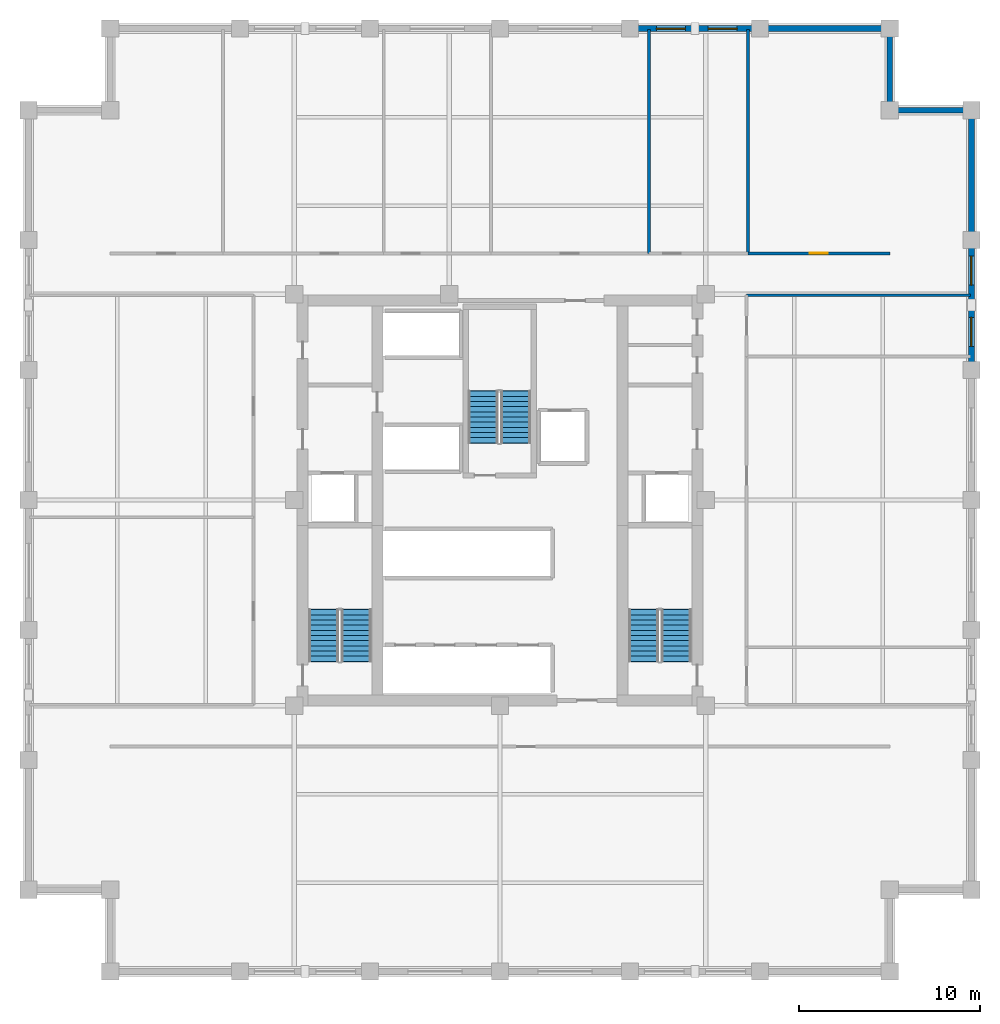
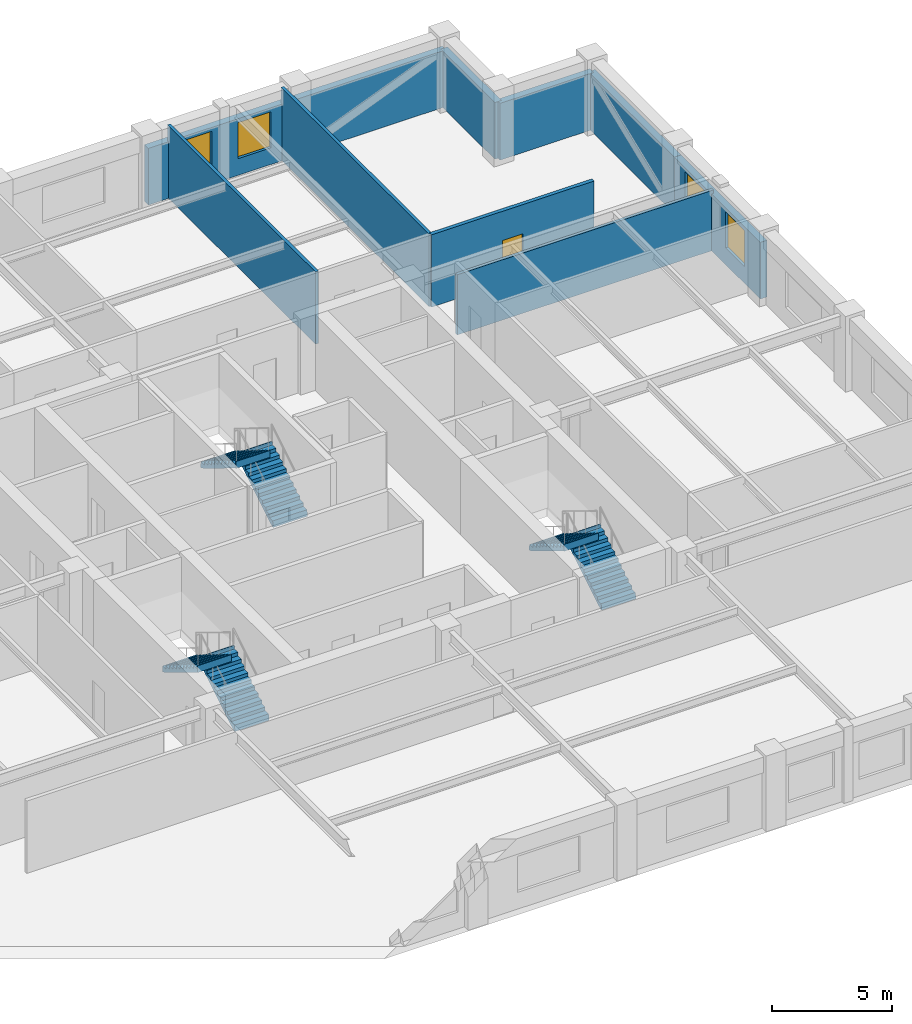
# One storey, part 5 of 6: 10 walls, 6 stair flights, 4 windows, 1 door, 5 openings, 3 elements without a shape of their own.
"""IFC4 building model written with IfcOpenShell, lengths in metres."""

from ifc_helpers import new_model, si_unit, direction, frame, frame_2d, origin, place, context, subcontext, project, spatial, polyline, rectangle, outline, extrude, material, layer, layer_set, type_object, element, fill, aggregate, save


model = new_model("IFC4")

# Units and contexts
model_context = context("Model", 3, precision=1e-05, world=origin(), true_north=direction((0.0, 1.0)))
body_context = subcontext(model_context, "Body", "Model", "MODEL_VIEW")
ifc_project = project(units=[si_unit("LENGTHUNIT", "METRE"), si_unit("AREAUNIT", "SQUARE_METRE"), si_unit("VOLUMEUNIT", "CUBIC_METRE"), si_unit("PLANEANGLEUNIT", "RADIAN"), si_unit("MASSUNIT", "GRAM", prefix="KILO")], contexts=[model_context])

# Site, building, storey
site_placement = place(None, origin())
site = spatial("IfcSite", under=ifc_project, at=site_placement, CompositionType="ELEMENT")
building_placement = place(site_placement, origin())
building = spatial("IfcBuilding", under=site, at=building_placement, Name="Nhamokura Convention Tower", CompositionType="ELEMENT")
storey_placement = place(building_placement, frame((0.0, 0.0, 114.449951171875)))
storey = spatial("IfcBuildingStorey", under=building, at=storey_placement, Name="L27", CompositionType="ELEMENT", Elevation=114.449951171875)

# Wall, openings, windows
ifc_material_1 = material(Name="Bronze-pigmented precast concrete C45/55", Category="concrete")
ifc_layer_1 = layer(ifc_material_1, 0.320068359375)
ifc_layer_set_1 = layer_set([ifc_layer_1], Name="BronzePrecastSpandrel_320")
wall_type_1 = type_object("IfcWallType", Name="BronzePrecastSpandrel_320", PredefinedType="USERDEFINED", material=ifc_layer_set_1)
wall_1_placement = place(storey_placement, frame((39.166748046875, 58.0, 0.0), z_axis=(0.0, 0.0, 1.0), x_axis=(1.0, 0.0, 0.0)))
wall_1 = element("IfcWall", 1, at=wall_1_placement, inside=storey, type_object=wall_type_1, Name="L27 Masonry-Frame Wall NORTH 4", ObjectType="SPANDREL_WALL", PredefinedType="USERDEFINED", context=body_context, shape_type="SweptSolid", body=[
    extrude(rectangle(XDim=7.16650390625, YDim=0.320068359375, at=frame_2d((3.583251953125, 0.0))), origin(), (0.0, 0.0, 1.0), 2.885009765625),
])
opening_1_placement = place(wall_1_placement, frame((1.4541015625, 0.0, 0.85009765625)))
opening_1 = element("IfcOpeningElement", 2, at=opening_1_placement, cuts=wall_1, Name="Opening W-11", PredefinedType="OPENING", context=body_context, shape_type="SweptSolid", body=[
    extrude(rectangle(XDim=1.60009765625, YDim=1.8349609375, at=frame_2d((0.800048828125, 0.91748046875))), frame((0.0, 0.169921875, 0.0), z_axis=(0.0, -1.0, 0.0), x_axis=(1.0, 0.0, 0.0)), (0.0, 0.0, 1.0), 0.340087890625),
])
opening_2_placement = place(wall_1_placement, frame((4.3125, 0.0, 0.85009765625)))
opening_2 = element("IfcOpeningElement", 3, at=opening_2_placement, cuts=wall_1, Name="Opening W-11", PredefinedType="OPENING", context=body_context, shape_type="SweptSolid", body=[
    extrude(rectangle(XDim=1.60009765625, YDim=1.8349609375, at=frame_2d((0.800048828125, 0.91748046875))), frame((0.0, 0.169921875, 0.0), z_axis=(0.0, -1.0, 0.0), x_axis=(1.0, 0.0, 0.0)), (0.0, 0.0, 1.0), 0.340087890625),
])
ifc_material_2 = material(Name="Solar-control bronze low-E double glass", Category="glass")
window_type = type_object("IfcWindowType", Name="NotchCornerWindow_1600", PartitioningType="SINGLE_PANEL", PredefinedType="WINDOW", material=ifc_material_2)
window_1_placement = place(opening_1_placement, origin())
window_1 = element("IfcWindow", 4, at=window_1_placement, inside=storey, type_object=window_type, Name="L27 Facade Window NORTH 4-2", OverallHeight=1.8349609375, OverallWidth=1.60009765625, PartitioningType="SINGLE_PANEL", PredefinedType="WINDOW", context=body_context, shape_type="SweptSolid", body=[
    extrude(rectangle(XDim=1.60009765625, YDim=1.8349609375, at=frame_2d((0.800048828125, 0.91748046875))), frame((0.0, 0.030029296875, 0.0), z_axis=(0.0, -1.0, 0.0), x_axis=(1.0, 0.0, 0.0)), (0.0, 0.0, 1.0), 0.06005859375),
])
fill(opening_1, window_1)
window_2_placement = place(opening_2_placement, origin())
window_2 = element("IfcWindow", 5, at=window_2_placement, inside=storey, type_object=window_type, Name="L27 Facade Window NORTH 4-3", OverallHeight=1.8349609375, OverallWidth=1.60009765625, PartitioningType="SINGLE_PANEL", PredefinedType="WINDOW", context=body_context, shape_type="SweptSolid", body=[
    extrude(rectangle(XDim=1.60009765625, YDim=1.8349609375, at=frame_2d((0.800048828125, 0.91748046875))), frame((0.0, 0.030029296875, 0.0), z_axis=(0.0, -1.0, 0.0), x_axis=(1.0, 0.0, 0.0)), (0.0, 0.0, 1.0), 0.06005859375),
])
fill(opening_2, window_2)

# Wall
wall_2_placement = place(storey_placement, frame((46.333251953125, 58.0, 0.0), z_axis=(0.0, 0.0, 1.0), x_axis=(1.0, 0.0, 0.0)))
element("IfcWall", 6, at=wall_2_placement, inside=storey, type_object=wall_type_1, Name="L27 Braced-Bay Precast Wall NORTH 5", ObjectType="SPANDREL_WALL", PredefinedType="USERDEFINED", context=body_context, shape_type="SweptSolid", body=[
    extrude(rectangle(XDim=7.166748046875, YDim=0.320068359375, at=frame_2d((3.58349609375, 0.0))), origin(), (0.0, 0.0, 1.0), 2.885009765625),
])

# Wall, openings, windows
wall_3_placement = place(storey_placement, frame((58.0, 46.333251953125, 0.0), z_axis=(0.0, 0.0, 1.0), x_axis=(0.0, -1.0, 0.0)))
wall_3 = element("IfcWall", 7, at=wall_3_placement, inside=storey, type_object=wall_type_1, Name="L27 Masonry-Frame Wall EAST 4", ObjectType="SPANDREL_WALL", PredefinedType="USERDEFINED", context=body_context, shape_type="SweptSolid", body=[
    extrude(rectangle(XDim=7.16650390625, YDim=0.320068359375, at=frame_2d((3.583251953125, 0.0))), origin(), (0.0, 0.0, 1.0), 2.885009765625),
])
opening_3_placement = place(wall_3_placement, frame((0.879150390625, 0.0, 0.85009765625)))
opening_3 = element("IfcOpeningElement", 8, at=opening_3_placement, cuts=wall_3, Name="Opening W-11", PredefinedType="OPENING", context=body_context, shape_type="SweptSolid", body=[
    extrude(rectangle(XDim=1.60009765625, YDim=1.8349609375, at=frame_2d((0.800048828125, 0.91748046875))), frame((0.0, 0.169921875, 0.0), z_axis=(0.0, -1.0, 0.0), x_axis=(1.0, 0.0, 0.0)), (0.0, 0.0, 1.0), 0.340087890625),
])
opening_4_placement = place(wall_3_placement, frame((4.262451171875, 0.0, 0.85009765625)))
opening_4 = element("IfcOpeningElement", 9, at=opening_4_placement, cuts=wall_3, Name="Opening W-11", PredefinedType="OPENING", context=body_context, shape_type="SweptSolid", body=[
    extrude(rectangle(XDim=1.60009765625, YDim=1.8349609375, at=frame_2d((0.800048828125, 0.91748046875))), frame((0.0, 0.169921875, 0.0), z_axis=(0.0, -1.0, 0.0), x_axis=(1.0, 0.0, 0.0)), (0.0, 0.0, 1.0), 0.340087890625),
])
window_3_placement = place(opening_3_placement, origin())
window_3 = element("IfcWindow", 10, at=window_3_placement, inside=storey, type_object=window_type, Name="L27 Facade Window EAST 4-1", OverallHeight=1.8349609375, OverallWidth=1.60009765625, PartitioningType="SINGLE_PANEL", PredefinedType="WINDOW", context=body_context, shape_type="SweptSolid", body=[
    extrude(rectangle(XDim=1.60009765625, YDim=1.8349609375, at=frame_2d((0.800048828125, 0.91748046875))), frame((0.0, 0.030029296875, 0.0), z_axis=(0.0, -1.0, 0.0), x_axis=(1.0, 0.0, 0.0)), (0.0, 0.0, 1.0), 0.06005859375),
])
fill(opening_3, window_3)
window_4_placement = place(opening_4_placement, origin())
window_4 = element("IfcWindow", 11, at=window_4_placement, inside=storey, type_object=window_type, Name="L27 Facade Window EAST 4-2", OverallHeight=1.8349609375, OverallWidth=1.60009765625, PartitioningType="SINGLE_PANEL", PredefinedType="WINDOW", context=body_context, shape_type="SweptSolid", body=[
    extrude(rectangle(XDim=1.60009765625, YDim=1.8349609375, at=frame_2d((0.800048828125, 0.91748046875))), frame((0.0, 0.030029296875, 0.0), z_axis=(0.0, -1.0, 0.0), x_axis=(1.0, 0.0, 0.0)), (0.0, 0.0, 1.0), 0.06005859375),
])
fill(opening_4, window_4)

# Walls
wall_4_placement = place(storey_placement, frame((58.0, 53.5, 0.0), z_axis=(0.0, 0.0, 1.0), x_axis=(0.0, -1.0, 0.0)))
element("IfcWall", 12, at=wall_4_placement, inside=storey, type_object=wall_type_1, Name="L27 Braced-Bay Precast Wall EAST 5", ObjectType="SPANDREL_WALL", PredefinedType="USERDEFINED", context=body_context, shape_type="SweptSolid", body=[
    extrude(rectangle(XDim=7.166748046875, YDim=0.320068359375, at=frame_2d((3.58349609375, 0.0))), origin(), (0.0, 0.0, 1.0), 2.885009765625),
])
for number, where, z_axis, x_axis, name in (
    (13, (53.5, 53.5, 0.0), (0.0, 0.0, 1.0), (1.0, 0.0, 0.0), "L27 Notched Corner Wall NE1"),
    (14, (53.5, 58.0, 0.0), (0.0, 0.0, 1.0), (0.0, -1.0, 0.0), "L27 Notched Corner Wall NE2"),
):
    element("IfcWall", number, at=place(storey_placement, frame(where, z_axis=z_axis, x_axis=x_axis)), inside=storey, type_object=wall_type_1, Name=name, ObjectType="SPANDREL_WALL", PredefinedType="USERDEFINED", context=body_context, shape_type="SweptSolid", body=[
        extrude(rectangle(XDim=4.5, YDim=0.320068359375, at=frame_2d((2.25, 0.0))), origin(), (0.0, 0.0, 1.0), 2.885009765625),
    ])

# Wall, opening, door
ifc_material_3 = material(Name="Fire-rated gypsum and masonry partition", Category="masonry")
ifc_layer_2 = layer(ifc_material_3, 0.179931640625)
ifc_layer_set_2 = layer_set([ifc_layer_2], Name="CorridorRatedWall_180")
wall_type_2 = type_object("IfcWallType", Name="CorridorRatedWall_180", PredefinedType="STANDARD", material=ifc_layer_set_2)
wall_5_placement = place(storey_placement, frame((45.683349609375, 45.60009765625, 0.0), z_axis=(0.0, 0.0, 1.0), x_axis=(1.0, 0.0, 0.0)))
wall_5 = element("IfcWall", 15, at=wall_5_placement, inside=storey, type_object=wall_type_2, Name="L27 Wall INT-L27-CW-N05", PredefinedType="STANDARD", context=body_context, shape_type="SweptSolid", body=[
    extrude(rectangle(XDim=7.816650390625, YDim=0.179931640625, at=frame_2d((3.908203125, 0.0))), origin(), (0.0, 0.0, 1.0), 3.68505859375),
])
opening_5_placement = place(wall_5_placement, frame((3.408203125, 0.0, 0.0)))
opening_5 = element("IfcOpeningElement", 16, at=opening_5_placement, cuts=wall_5, Name="Opening D-08", PredefinedType="OPENING", context=body_context, shape_type="SweptSolid", body=[
    extrude(rectangle(XDim=0.97998046875, YDim=2.199951171875, at=frame_2d((0.489990234375, 1.10009765625))), frame((0.0, 0.099853515625, 0.0), z_axis=(0.0, -1.0, 0.0), x_axis=(1.0, 0.0, 0.0)), (0.0, 0.0, 1.0), 0.199951171875),
])
ifc_material_4 = material(Name="Solid oak hardwood", Category="wood")
door_type = type_object("IfcDoorType", Name="OfficeEntryDoor_980", OperationType="NOTDEFINED", PredefinedType="DOOR", material=ifc_material_4)
door_placement = place(opening_5_placement, origin())
door = element("IfcDoor", 17, at=door_placement, inside=storey, type_object=door_type, Name="L27 Meeting Room N06 Door", OperationType="SINGLE_SWING_RIGHT", OverallHeight=2.199951171875, OverallWidth=0.97998046875, PredefinedType="DOOR", context=body_context, shape_type="SweptSolid", body=[
    extrude(rectangle(XDim=0.97998046875, YDim=2.199951171875, at=frame_2d((0.489990234375, 1.10009765625))), frame((0.0, 0.02490234375, 0.0), z_axis=(0.0, -1.0, 0.0), x_axis=(1.0, 0.0, 0.0)), (0.0, 0.0, 1.0), 0.050048828125),
])
fill(opening_5, door)

# Walls
ifc_material_5 = material(Name="Acoustic gypsum stud partition", Category="masonry")
ifc_layer_3 = layer(ifc_material_5, 0.14990234375)
ifc_layer_set_3 = layer_set([ifc_layer_3], Name="InteriorPartition_150")
wall_type_3 = type_object("IfcWallType", Name="InteriorPartition_150", PredefinedType="STANDARD", material=ifc_layer_set_3)
for number, where, z_axis, x_axis, name in (
    (18, (40.216796875, 45.60009765625, 0.0), (0.0, 0.0, 1.0), (0.0, 1.0, 0.0), "L27 Wall INT-L27-RW-N04"),
    (19, (45.683349609375, 45.60009765625, 0.0), (0.0, 0.0, 1.0), (0.0, 1.0, 0.0), "L27 Wall INT-L27-RW-N05"),
):
    element("IfcWall", number, at=place(storey_placement, frame(where, z_axis=z_axis, x_axis=x_axis)), inside=storey, type_object=wall_type_3, Name=name, PredefinedType="STANDARD", context=body_context, shape_type="SweptSolid", body=[
        extrude(rectangle(XDim=12.33984375, YDim=0.14990234375, at=frame_2d((6.169921875, 0.0))), origin(), (0.0, 0.0, 1.0), 3.68505859375),
    ])
wall_6_placement = place(storey_placement, frame((45.60009765625, 43.300048828125, 0.0), z_axis=(0.0, 0.0, 1.0), x_axis=(1.0, 0.0, 0.0)))
element("IfcWall", 20, at=wall_6_placement, inside=storey, type_object=wall_type_3, Name="L27 Wall INT-L27-RWT-E", PredefinedType="STANDARD", context=body_context, shape_type="SweptSolid", body=[
    extrude(rectangle(XDim=12.33984375, YDim=0.14990234375, at=frame_2d((6.169921875, 0.0))), origin(), (0.0, 0.0, 1.0), 3.06494140625),
])

# Stair, stair flights
ifc_material_6 = material(Name="Concrete C40/50", Category="concrete")
stair_type = type_object("IfcStairType", Name="TowerCoreStair_1650", PredefinedType="HALF_TURN_STAIR", material=ifc_material_6)
stair_1_placement = place(storey_placement, origin())
stair_1 = element("IfcStair", 21, at=stair_1_placement, inside=storey, type_object=stair_type, Name="L27 West Core Smokeproof Stair ST-01", PredefinedType="HALF_TURN_STAIR")
ifc_material_7 = material(Name="Concrete C40/50", Category="concrete")
stair_flight_type = type_object("IfcStairFlightType", Name="TowerCoreStair_1650_Flight", PredefinedType="STRAIGHT", material=ifc_material_7)
stair_flight_1_placement = place(storey_placement, frame((24.074951171875, 23.10009765625, 0.0), z_axis=(0.0, 0.0, 1.0), x_axis=(0.0, 1.0, 0.0)))
stair_flight_1 = element("IfcStairFlight", 22, at=stair_flight_1_placement, type_object=stair_flight_type, Name="ST-01 flight 1", NumberOfRisers=11, NumberOfTreads=10, PredefinedType="STRAIGHT", RiserHeight=0.175, TreadLength=0.285, context=body_context, shape_type="SweptSolid", body=[
    extrude(outline(polyline([(-0.0419921875, 0.0), (0.0, 0.175048828125), (0.284912109375, 0.175048828125), (0.284912109375, 0.35009765625), (0.570068359375, 0.35009765625), (0.570068359375, 0.52490234375), (0.85498046875, 0.52490234375), (0.85498046875, 0.699951171875), (1.139892578125, 0.699951171875), (1.139892578125, 0.875), (1.425048828125, 0.875), (1.425048828125, 1.050048828125), (1.7099609375, 1.050048828125), (1.7099609375, 1.22509765625), (1.9951171875, 1.22509765625), (1.9951171875, 1.39990234375), (2.280029296875, 1.39990234375), (2.280029296875, 1.574951171875), (2.56494140625, 1.574951171875), (2.56494140625, 1.75), (2.85009765625, 1.75), (2.85009765625, 1.925048828125), (2.89208984375, 1.925048828125), (2.89208984375, 1.573974609375), (2.85009765625, 1.573974609375), (0.286376953125, 0.0), (0.02001953125, -0.1298828125), (-0.0419921875, -0.1298828125), (-0.0419921875, 0.0)])), frame((0.0, 0.824951171875, 0.0), z_axis=(0.0, -1.0, 0.0), x_axis=(1.0, 0.0, 0.0)), (0.0, 0.0, 1.0), 1.64990234375),
])
stair_flight_2_placement = place(storey_placement, frame((22.27490234375, 25.949951171875, 1.925048828125), z_axis=(0.0, 0.0, 1.0), x_axis=(0.0, -1.0, 0.0)))
stair_flight_2 = element("IfcStairFlight", 23, at=stair_flight_2_placement, type_object=stair_flight_type, Name="ST-01 flight 2", NumberOfRisers=11, NumberOfTreads=10, PredefinedType="STRAIGHT", RiserHeight=0.175, TreadLength=0.285, context=body_context, shape_type="SweptSolid", body=[
    extrude(outline(polyline([(-0.0419921875, 0.0), (0.0, 0.175048828125), (0.284912109375, 0.175048828125), (0.284912109375, 0.35009765625), (0.570068359375, 0.35009765625), (0.570068359375, 0.52490234375), (0.85498046875, 0.52490234375), (0.85498046875, 0.699951171875), (1.139892578125, 0.699951171875), (1.139892578125, 0.875), (1.425048828125, 0.875), (1.425048828125, 1.050048828125), (1.7099609375, 1.050048828125), (1.7099609375, 1.22509765625), (1.9951171875, 1.22509765625), (1.9951171875, 1.39990234375), (2.280029296875, 1.39990234375), (2.280029296875, 1.574951171875), (2.56494140625, 1.574951171875), (2.56494140625, 1.75), (2.85009765625, 1.75), (2.85009765625, 1.925048828125), (2.89208984375, 1.925048828125), (2.89208984375, 1.573974609375), (2.85009765625, 1.573974609375), (0.286376953125, 0.0), (0.02001953125, -0.1298828125), (-0.0419921875, -0.1298828125), (-0.0419921875, 0.0)])), frame((0.0, 0.824951171875, 0.0), z_axis=(0.0, -1.0, 0.0), x_axis=(1.0, 0.0, 0.0)), (0.0, 0.0, 1.0), 1.64990234375),
])
aggregate(stair_1, [stair_flight_1, stair_flight_2])

stair_2_placement = place(storey_placement, origin())
stair_2 = element("IfcStair", 24, at=stair_2_placement, inside=storey, type_object=stair_type, Name="L27 East Core Smokeproof Stair ST-02", PredefinedType="HALF_TURN_STAIR")
stair_flight_3_placement = place(storey_placement, frame((41.72509765625, 23.10009765625, 0.0), z_axis=(0.0, 0.0, 1.0), x_axis=(0.0, 1.0, 0.0)))
stair_flight_3 = element("IfcStairFlight", 25, at=stair_flight_3_placement, type_object=stair_flight_type, Name="ST-02 flight 1", NumberOfRisers=11, NumberOfTreads=10, PredefinedType="STRAIGHT", RiserHeight=0.175, TreadLength=0.285, context=body_context, shape_type="SweptSolid", body=[
    extrude(outline(polyline([(-0.0419921875, 0.0), (0.0, 0.175048828125), (0.284912109375, 0.175048828125), (0.284912109375, 0.35009765625), (0.570068359375, 0.35009765625), (0.570068359375, 0.52490234375), (0.85498046875, 0.52490234375), (0.85498046875, 0.699951171875), (1.139892578125, 0.699951171875), (1.139892578125, 0.875), (1.425048828125, 0.875), (1.425048828125, 1.050048828125), (1.7099609375, 1.050048828125), (1.7099609375, 1.22509765625), (1.9951171875, 1.22509765625), (1.9951171875, 1.39990234375), (2.280029296875, 1.39990234375), (2.280029296875, 1.574951171875), (2.56494140625, 1.574951171875), (2.56494140625, 1.75), (2.85009765625, 1.75), (2.85009765625, 1.925048828125), (2.89208984375, 1.925048828125), (2.89208984375, 1.573974609375), (2.85009765625, 1.573974609375), (0.286376953125, 0.0), (0.02001953125, -0.1298828125), (-0.0419921875, -0.1298828125), (-0.0419921875, 0.0)])), frame((0.0, 0.824951171875, 0.0), z_axis=(0.0, -1.0, 0.0), x_axis=(1.0, 0.0, 0.0)), (0.0, 0.0, 1.0), 1.64990234375),
])
stair_flight_4_placement = place(storey_placement, frame((39.925048828125, 25.949951171875, 1.925048828125), z_axis=(0.0, 0.0, 1.0), x_axis=(0.0, -1.0, 0.0)))
stair_flight_4 = element("IfcStairFlight", 26, at=stair_flight_4_placement, type_object=stair_flight_type, Name="ST-02 flight 2", NumberOfRisers=11, NumberOfTreads=10, PredefinedType="STRAIGHT", RiserHeight=0.175, TreadLength=0.285, context=body_context, shape_type="SweptSolid", body=[
    extrude(outline(polyline([(-0.0419921875, 0.0), (0.0, 0.175048828125), (0.284912109375, 0.175048828125), (0.284912109375, 0.35009765625), (0.570068359375, 0.35009765625), (0.570068359375, 0.52490234375), (0.85498046875, 0.52490234375), (0.85498046875, 0.699951171875), (1.139892578125, 0.699951171875), (1.139892578125, 0.875), (1.425048828125, 0.875), (1.425048828125, 1.050048828125), (1.7099609375, 1.050048828125), (1.7099609375, 1.22509765625), (1.9951171875, 1.22509765625), (1.9951171875, 1.39990234375), (2.280029296875, 1.39990234375), (2.280029296875, 1.574951171875), (2.56494140625, 1.574951171875), (2.56494140625, 1.75), (2.85009765625, 1.75), (2.85009765625, 1.925048828125), (2.89208984375, 1.925048828125), (2.89208984375, 1.573974609375), (2.85009765625, 1.573974609375), (0.286376953125, 0.0), (0.02001953125, -0.1298828125), (-0.0419921875, -0.1298828125), (-0.0419921875, 0.0)])), frame((0.0, 0.824951171875, 0.0), z_axis=(0.0, -1.0, 0.0), x_axis=(1.0, 0.0, 0.0)), (0.0, 0.0, 1.0), 1.64990234375),
])
aggregate(stair_2, [stair_flight_3, stair_flight_4])

stair_3_placement = place(storey_placement, origin())
stair_3 = element("IfcStair", 27, at=stair_3_placement, inside=storey, type_object=stair_type, Name="L27 North Core Smokeproof Stair ST-03", PredefinedType="HALF_TURN_STAIR")
stair_flight_5_placement = place(storey_placement, frame((32.875, 35.14990234375, 0.0), z_axis=(0.0, 0.0, 1.0), x_axis=(0.0, 1.0, 0.0)))
stair_flight_5 = element("IfcStairFlight", 28, at=stair_flight_5_placement, type_object=stair_flight_type, Name="ST-03 flight 1", NumberOfRisers=11, NumberOfTreads=10, PredefinedType="STRAIGHT", RiserHeight=0.175, TreadLength=0.285, context=body_context, shape_type="SweptSolid", body=[
    extrude(outline(polyline([(-0.0419921875, 0.0), (0.0, 0.175048828125), (0.284912109375, 0.175048828125), (0.284912109375, 0.35009765625), (0.570068359375, 0.35009765625), (0.570068359375, 0.52490234375), (0.85498046875, 0.52490234375), (0.85498046875, 0.699951171875), (1.139892578125, 0.699951171875), (1.139892578125, 0.875), (1.425048828125, 0.875), (1.425048828125, 1.050048828125), (1.7099609375, 1.050048828125), (1.7099609375, 1.22509765625), (1.9951171875, 1.22509765625), (1.9951171875, 1.39990234375), (2.280029296875, 1.39990234375), (2.280029296875, 1.574951171875), (2.56494140625, 1.574951171875), (2.56494140625, 1.75), (2.85009765625, 1.75), (2.85009765625, 1.925048828125), (2.89208984375, 1.925048828125), (2.89208984375, 1.573974609375), (2.85009765625, 1.573974609375), (0.286376953125, 0.0), (0.02001953125, -0.1298828125), (-0.0419921875, -0.1298828125), (-0.0419921875, 0.0)])), frame((0.0, 0.824951171875, 0.0), z_axis=(0.0, -1.0, 0.0), x_axis=(1.0, 0.0, 0.0)), (0.0, 0.0, 1.0), 1.64990234375),
])
stair_flight_6_placement = place(storey_placement, frame((31.074951171875, 38.0, 1.925048828125), z_axis=(0.0, 0.0, 1.0), x_axis=(0.0, -1.0, 0.0)))
stair_flight_6 = element("IfcStairFlight", 29, at=stair_flight_6_placement, type_object=stair_flight_type, Name="ST-03 flight 2", NumberOfRisers=11, NumberOfTreads=10, PredefinedType="STRAIGHT", RiserHeight=0.175, TreadLength=0.285, context=body_context, shape_type="SweptSolid", body=[
    extrude(outline(polyline([(-0.0419921875, 0.0), (0.0, 0.175048828125), (0.284912109375, 0.175048828125), (0.284912109375, 0.35009765625), (0.570068359375, 0.35009765625), (0.570068359375, 0.52490234375), (0.85498046875, 0.52490234375), (0.85498046875, 0.699951171875), (1.139892578125, 0.699951171875), (1.139892578125, 0.875), (1.425048828125, 0.875), (1.425048828125, 1.050048828125), (1.7099609375, 1.050048828125), (1.7099609375, 1.22509765625), (1.9951171875, 1.22509765625), (1.9951171875, 1.39990234375), (2.280029296875, 1.39990234375), (2.280029296875, 1.574951171875), (2.56494140625, 1.574951171875), (2.56494140625, 1.75), (2.85009765625, 1.75), (2.85009765625, 1.925048828125), (2.89208984375, 1.925048828125), (2.89208984375, 1.573974609375), (2.85009765625, 1.573974609375), (0.286376953125, 0.0), (0.02001953125, -0.1298828125), (-0.0419921875, -0.1298828125), (-0.0419921875, 0.0)])), frame((0.0, 0.824951171875, 0.0), z_axis=(0.0, -1.0, 0.0), x_axis=(1.0, 0.0, 0.0)), (0.0, 0.0, 1.0), 1.64990234375),
])
aggregate(stair_3, [stair_flight_5, stair_flight_6])

save(model, "model.ifc")
